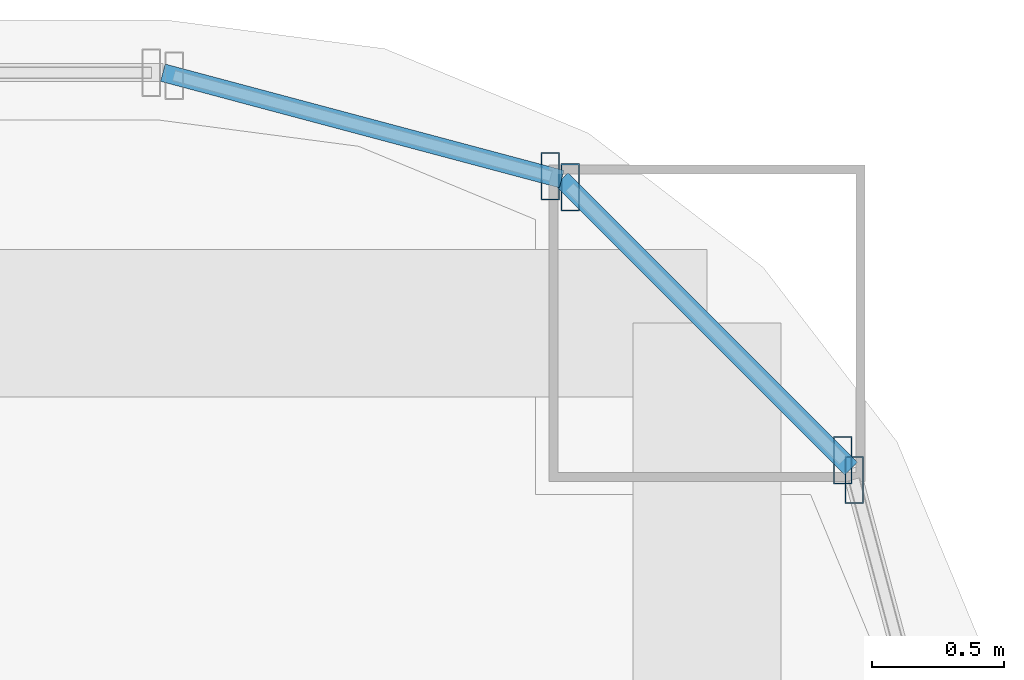
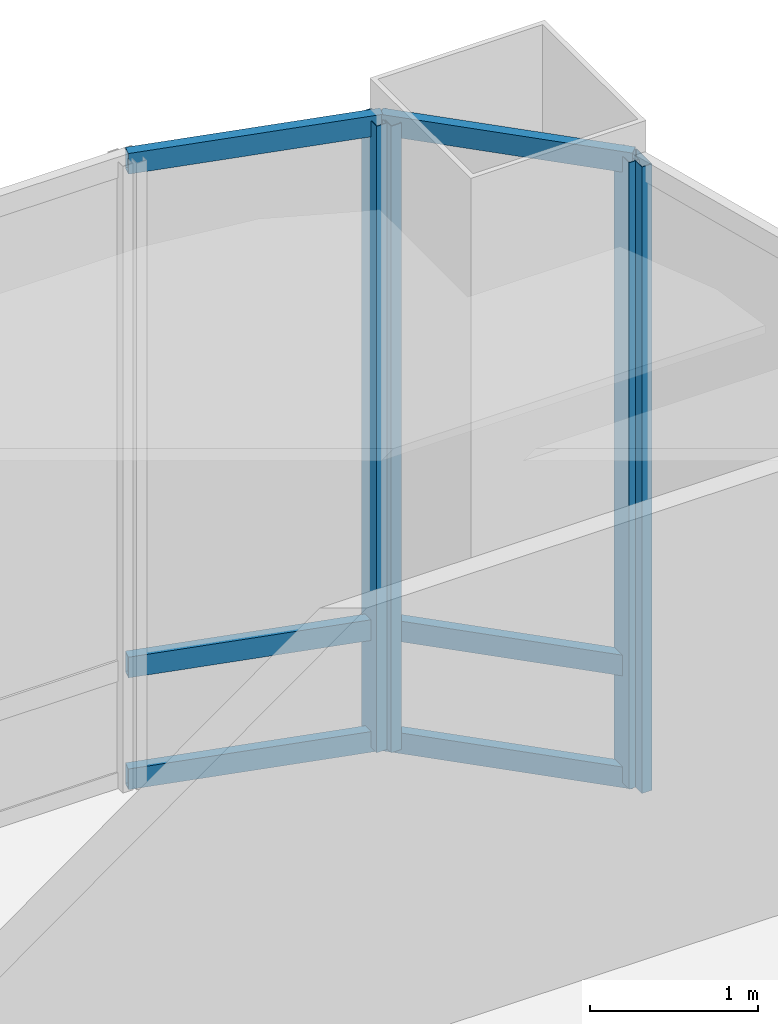
# One storey, part 33 of 44: 10 members, 3 elements without a shape of their own.
"""IFC4 building model written with IfcOpenShell, lengths in metres."""

from ifc_helpers import new_model, si_unit, direction, frame, origin, origin_2d, place, context, subcontext, project, spatial, hollow_rectangle, extrude, material, material_profile, profile_set, type_object, element, aggregate, save


model = new_model("IFC4")

# Units and contexts
model_context = context("Model", 3, precision=1e-05, world=origin(), true_north=direction((0.0, 1.0)))
body_context = subcontext(model_context, "Body", "Model", "MODEL_VIEW")
ifc_project = project(units=[si_unit("LENGTHUNIT", "METRE"), si_unit("AREAUNIT", "SQUARE_METRE"), si_unit("VOLUMEUNIT", "CUBIC_METRE"), si_unit("PLANEANGLEUNIT", "RADIAN"), si_unit("MASSUNIT", "GRAM", prefix="KILO")], contexts=[model_context])

# Site, building, storey
site_placement = place(None, origin())
site = spatial("IfcSite", under=ifc_project, at=site_placement, CompositionType="ELEMENT")
building_placement = place(site_placement, origin())
building = spatial("IfcBuilding", under=site, at=building_placement, Name="Punatoya Terracotta Tower", CompositionType="ELEMENT")
storey_placement = place(building_placement, frame((0.0, 0.0, 334.199951171875)))
storey = spatial("IfcBuildingStorey", under=building, at=storey_placement, Name="L79", CompositionType="ELEMENT", Elevation=334.199951171875)

# Curtain wall, member
ifc_material_1 = material(Name="Aluminium 6063-T6 + Double Low-E Glass", Category="aluminium")
curtain_wall_type = type_object("IfcCurtainWallType", Name="CW-OBS", PredefinedType="NOTDEFINED", material=ifc_material_1)
curtain_wall_1_placement = place(storey_placement, origin())
curtain_wall_1 = element("IfcCurtainWall", 1, at=curtain_wall_1_placement, inside=storey, type_object=curtain_wall_type, Name="L79 Curtain Wall CW-L79-CRN11", PredefinedType="NOTDEFINED")
ifc_material_2 = material(Name="Aluminium 6063-T6", Category="aluminium")
ifc_material_profile_1 = material_profile(ifc_material_2, hollow_rectangle(XDim=0.070068359375, YDim=0.179931640625, WallThickness=0.00390625, at=origin_2d()))
ifc_profile_set_1 = profile_set([ifc_material_profile_1], Name="Aluminium 6063-T6")
member_type_1 = type_object("IfcMemberType", Name="CW-MUL-M3", PredefinedType="MULLION", material=ifc_profile_set_1)
member_1_placement = place(storey_placement, frame((19.658203125, 16.905517578125, 0.0), z_axis=(0.0, 0.0, 1.0), x_axis=(1.0, 0.0, 0.0)))
member_1 = element("IfcMember", 2, at=member_1_placement, type_object=member_type_1, Name="CW-L79-CRN11 Mullion 01", PredefinedType="MULLION", context=body_context, shape_type="SweptSolid", body=[
    extrude(hollow_rectangle(XDim=0.070068359375, YDim=0.179931640625, WallThickness=0.00390625, at=origin_2d()), origin(), (0.0, 0.0, 1.0), 4.5400390625),
])
aggregate(curtain_wall_1, [member_1])

# Curtain wall, members
curtain_wall_2_placement = place(storey_placement, origin())
curtain_wall_2 = element("IfcCurtainWall", 3, at=curtain_wall_2_placement, inside=storey, type_object=curtain_wall_type, Name="L79 Curtain Wall CW-L79-CRN12", PredefinedType="NOTDEFINED")
member_2_placement = place(storey_placement, frame((19.61474609375, 16.98095703125, 0.0), z_axis=(0.0, 0.0, 1.0), x_axis=(1.0, 0.0, 0.0)))
member_2 = element("IfcMember", 4, at=member_2_placement, type_object=member_type_1, Name="CW-L79-CRN12 Mullion 00", PredefinedType="MULLION", context=body_context, shape_type="SweptSolid", body=[
    extrude(hollow_rectangle(XDim=0.070068359375, YDim=0.179931640625, WallThickness=0.00390625, at=origin_2d()), origin(), (0.0, 0.0, 1.0), 4.5400390625),
])
member_3_placement = place(storey_placement, frame((18.580810546875, 18.014892578125, 0.0), z_axis=(0.0, 0.0, 1.0), x_axis=(1.0, 0.0, 0.0)))
member_3 = element("IfcMember", 5, at=member_3_placement, type_object=member_type_1, Name="CW-L79-CRN12 Mullion 01", PredefinedType="MULLION", context=body_context, shape_type="SweptSolid", body=[
    extrude(hollow_rectangle(XDim=0.070068359375, YDim=0.179931640625, WallThickness=0.00390625, at=origin_2d()), origin(), (0.0, 0.0, 1.0), 4.5400390625),
])

# Curtain wall, member
curtain_wall_3_placement = place(storey_placement, origin())
curtain_wall_3 = element("IfcCurtainWall", 6, at=curtain_wall_3_placement, inside=storey, type_object=curtain_wall_type, Name="L79 Curtain Wall CW-L79-CRN13", PredefinedType="NOTDEFINED")
member_4_placement = place(storey_placement, frame((18.505615234375, 18.05810546875, 0.0), z_axis=(0.0, 0.0, 1.0), x_axis=(1.0, 0.0, 0.0)))
member_4 = element("IfcMember", 7, at=member_4_placement, type_object=member_type_1, Name="CW-L79-CRN13 Mullion 00", PredefinedType="MULLION", context=body_context, shape_type="SweptSolid", body=[
    extrude(hollow_rectangle(XDim=0.070068359375, YDim=0.179931640625, WallThickness=0.00390625, at=origin_2d()), origin(), (0.0, 0.0, 1.0), 4.5400390625),
])

# Member
ifc_material_profile_2 = material_profile(ifc_material_2, hollow_rectangle(XDim=0.068115234375, YDim=0.14990234375, WallThickness=0.00390625, at=origin_2d()))
ifc_profile_set_2 = profile_set([ifc_material_profile_2], Name="Aluminium 6063-T6")
member_type_2 = type_object("IfcMemberType", Name="CW-TRN-TYP", PredefinedType="USERDEFINED", material=ifc_profile_set_2)
member_5_placement = place(storey_placement, frame((19.646484375, 16.94921875, 0.0400390625), z_axis=(-0.707106781187, 0.707106781187, 0.0), x_axis=(-0.707106781187, -0.707106781187, 0.0)))
member_5 = element("IfcMember", 8, at=member_5_placement, type_object=member_type_2, Name="CW-L79-CRN12 Transom 1", ObjectType="TRANSOM", PredefinedType="USERDEFINED", context=body_context, shape_type="SweptSolid", body=[
    extrude(hollow_rectangle(XDim=0.068115234375, YDim=0.14990234375, WallThickness=0.00390625, at=origin_2d()), origin(), (0.0, 0.0, 1.0), 1.552001953125),
])

member_6_placement = place(storey_placement, frame((19.646484375, 16.94921875, 0.85009765625), z_axis=(-0.707106781187, 0.707106781187, 0.0), x_axis=(-0.707106781187, -0.707106781187, 0.0)))
member_6 = element("IfcMember", 9, at=member_6_placement, type_object=member_type_2, Name="CW-L79-CRN12 Transom 2", ObjectType="TRANSOM", PredefinedType="USERDEFINED", context=body_context, shape_type="SweptSolid", body=[
    extrude(hollow_rectangle(XDim=0.068115234375, YDim=0.14990234375, WallThickness=0.00390625, at=origin_2d()), origin(), (0.0, 0.0, 1.0), 1.552001953125),
])

member_7_placement = place(storey_placement, frame((19.646484375, 16.94921875, 4.5), z_axis=(-0.707106781187, 0.707106781187, 0.0), x_axis=(-0.707106781187, -0.707106781187, 0.0)))
member_7 = element("IfcMember", 10, at=member_7_placement, type_object=member_type_2, Name="CW-L79-CRN12 Transom 3", ObjectType="TRANSOM", PredefinedType="USERDEFINED", context=body_context, shape_type="SweptSolid", body=[
    extrude(hollow_rectangle(XDim=0.068115234375, YDim=0.14990234375, WallThickness=0.00390625, at=origin_2d()), origin(), (0.0, 0.0, 1.0), 1.552001953125),
])

aggregate(curtain_wall_2, [member_2, member_3, member_5, member_6, member_7])

member_8_placement = place(storey_placement, frame((18.549072265625, 18.046630859375, 0.0400390625), z_axis=(-0.966224582397, 0.257701486942, 0.0), x_axis=(-0.257701486942, -0.966224582397, 0.0)))
member_8 = element("IfcMember", 11, at=member_8_placement, type_object=member_type_2, Name="CW-L79-CRN13 Transom 1", ObjectType="TRANSOM", PredefinedType="USERDEFINED", context=body_context, shape_type="SweptSolid", body=[
    extrude(hollow_rectangle(XDim=0.068115234375, YDim=0.14990234375, WallThickness=0.00390625, at=origin_2d()), origin(), (0.0, 0.0, 1.0), 1.565185546875),
])

member_9_placement = place(storey_placement, frame((18.549072265625, 18.046630859375, 0.85009765625), z_axis=(-0.966224582397, 0.257701486942, 0.0), x_axis=(-0.257701486942, -0.966224582397, 0.0)))
member_9 = element("IfcMember", 12, at=member_9_placement, type_object=member_type_2, Name="CW-L79-CRN13 Transom 2", ObjectType="TRANSOM", PredefinedType="USERDEFINED", context=body_context, shape_type="SweptSolid", body=[
    extrude(hollow_rectangle(XDim=0.068115234375, YDim=0.14990234375, WallThickness=0.00390625, at=origin_2d()), origin(), (0.0, 0.0, 1.0), 1.565185546875),
])

member_10_placement = place(storey_placement, frame((18.549072265625, 18.046630859375, 4.5), z_axis=(-0.966224582397, 0.257701486942, 0.0), x_axis=(-0.257701486942, -0.966224582397, 0.0)))
member_10 = element("IfcMember", 13, at=member_10_placement, type_object=member_type_2, Name="CW-L79-CRN13 Transom 3", ObjectType="TRANSOM", PredefinedType="USERDEFINED", context=body_context, shape_type="SweptSolid", body=[
    extrude(hollow_rectangle(XDim=0.068115234375, YDim=0.14990234375, WallThickness=0.00390625, at=origin_2d()), origin(), (0.0, 0.0, 1.0), 1.565185546875),
])

aggregate(curtain_wall_3, [member_4, member_8, member_9, member_10])

save(model, "model.ifc")
